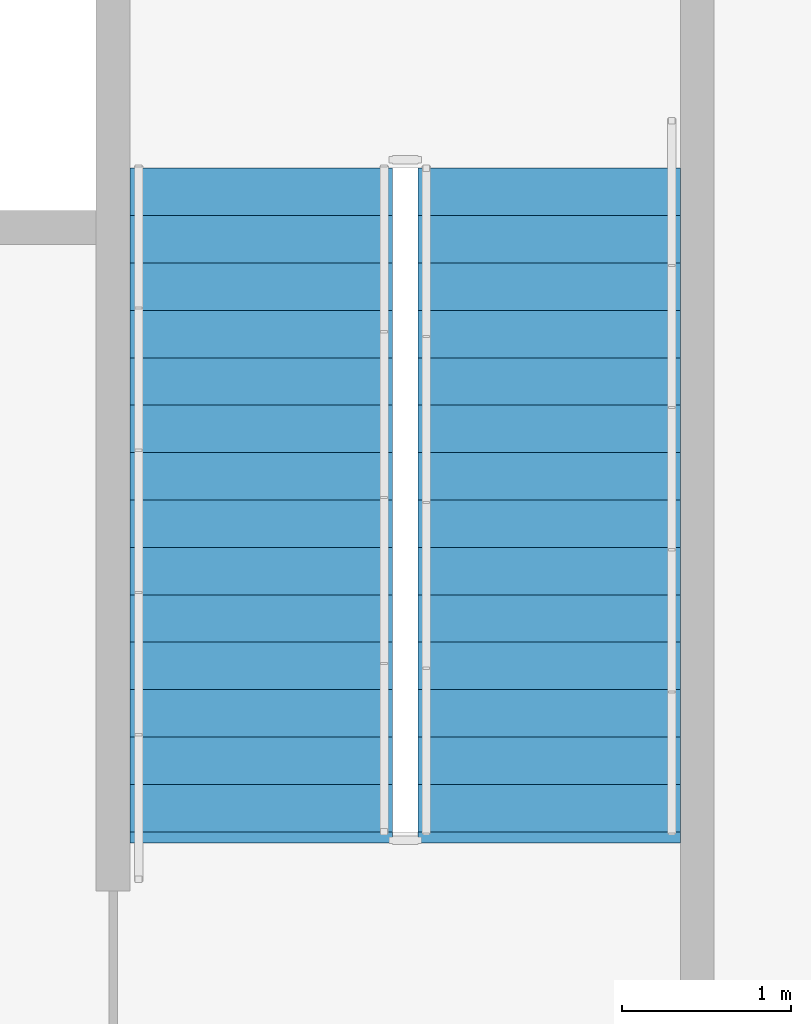
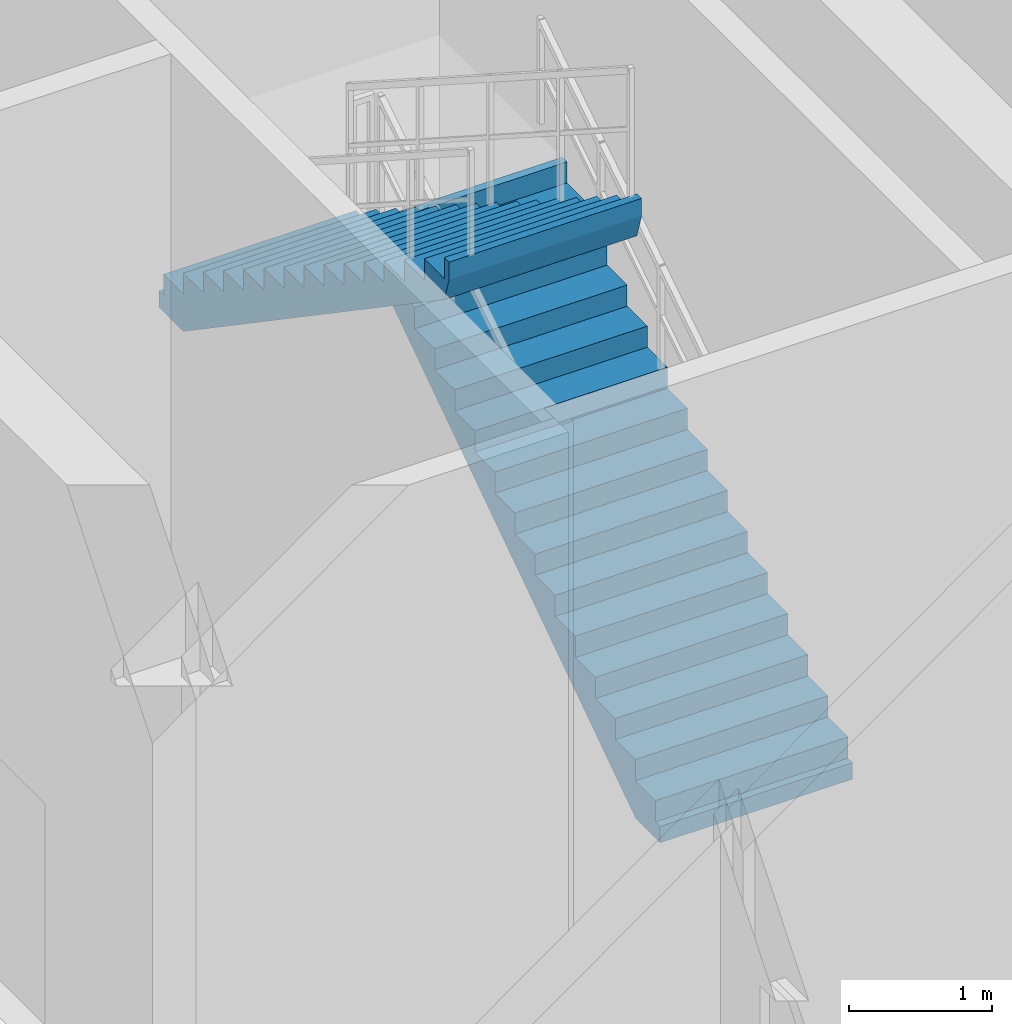
# One storey, part 11 of 15: 2 stair flights, 1 element without a shape of its own.
"""IFC4 building model written with IfcOpenShell, lengths in metres."""

from ifc_helpers import new_model, si_unit, direction, frame, origin, place, context, subcontext, project, spatial, polyline, outline, extrude, material, type_object, element, aggregate, save


model = new_model("IFC4")

# Units and contexts
model_context = context("Model", 3, precision=1e-05, world=origin(), true_north=direction((0.0, 1.0)))
body_context = subcontext(model_context, "Body", "Model", "MODEL_VIEW")
ifc_project = project(units=[si_unit("LENGTHUNIT", "METRE"), si_unit("AREAUNIT", "SQUARE_METRE"), si_unit("VOLUMEUNIT", "CUBIC_METRE"), si_unit("PLANEANGLEUNIT", "RADIAN"), si_unit("MASSUNIT", "GRAM", prefix="KILO")], contexts=[model_context])

# Site, building, storey
site_placement = place(None, origin())
site = spatial("IfcSite", under=ifc_project, at=site_placement, CompositionType="ELEMENT")
building_placement = place(site_placement, origin())
building = spatial("IfcBuilding", under=site, at=building_placement, Name="Zahravan Cultural Tower", CompositionType="ELEMENT")
storey_placement = place(building_placement, frame((0.0, 0.0, 12.60009765625)))
storey = spatial("IfcBuildingStorey", under=building, at=storey_placement, Name="L02", CompositionType="ELEMENT", Elevation=12.60009765625)

# Stair, stair flights
ifc_material = material(Name="Concrete C45/55", Category="concrete")
stair_type = type_object("IfcStairType", Name="STR-DL-1550-540", PredefinedType="HALF_TURN_STAIR", material=ifc_material)
stair_placement = place(storey_placement, origin())
stair = element("IfcStair", 1, at=stair_placement, inside=storey, type_object=stair_type, Name="L02 East Core North Exit Stair ST-E1", PredefinedType="HALF_TURN_STAIR")
stair_flight_type = type_object("IfcStairFlightType", Name="FLG-DL-1550-540", PredefinedType="STRAIGHT", material=ifc_material)
stair_flight_1_placement = place(storey_placement, frame((48.675048828125, 29.949951171875, 0.0), z_axis=(0.0, 0.0, 1.0), x_axis=(0.0, 1.0, 0.0)))
stair_flight_1 = element("IfcStairFlight", 2, at=stair_flight_1_placement, type_object=stair_flight_type, Name="ST-E1 flight 1", NumberOfRisers=15, NumberOfTreads=14, PredefinedType="STRAIGHT", RiserHeight=0.18, TreadLength=0.28, context=body_context, shape_type="SweptSolid", body=[
    extrude(outline(polyline([(-0.06494140625, -0.139892578125), (-0.06494140625, 0.0), (0.0, 0.0), (0.0, 0.179931640625), (0.280029296875, 0.179931640625), (0.280029296875, 0.360107421875), (0.56005859375, 0.360107421875), (0.56005859375, 0.5400390625), (0.840087890625, 0.5400390625), (0.840087890625, 0.719970703125), (1.1201171875, 0.719970703125), (1.1201171875, 0.89990234375), (1.39990234375, 0.89990234375), (1.39990234375, 1.080078125), (1.679931640625, 1.080078125), (1.679931640625, 1.260009765625), (1.9599609375, 1.260009765625), (1.9599609375, 1.43994140625), (2.239990234375, 1.43994140625), (2.239990234375, 1.6201171875), (2.52001953125, 1.6201171875), (2.52001953125, 1.800048828125), (2.800048828125, 1.800048828125), (2.800048828125, 1.97998046875), (3.080078125, 1.97998046875), (3.080078125, 2.159912109375), (3.360107421875, 2.159912109375), (3.360107421875, 2.340087890625), (3.639892578125, 2.340087890625), (3.639892578125, 2.52001953125), (3.919921875, 2.52001953125), (3.919921875, 2.699951171875), (3.985107421875, 2.699951171875), (3.985107421875, 2.550048828125), (3.919921875, 2.341796875), (0.277099609375, -0.139892578125), (-0.06494140625, -0.139892578125)])), frame((0.0, 0.77490234375, 0.0), z_axis=(0.0, -1.0, 0.0), x_axis=(1.0, 0.0, 0.0)), (0.0, 0.0, 1.0), 1.550048828125),
])
stair_flight_2_placement = place(storey_placement, frame((46.97509765625, 33.8701171875, 2.699951171875), z_axis=(0.0, 0.0, 1.0), x_axis=(0.0, -1.0, 0.0)))
stair_flight_2 = element("IfcStairFlight", 3, at=stair_flight_2_placement, type_object=stair_flight_type, Name="ST-E1 flight 2", NumberOfRisers=15, NumberOfTreads=14, PredefinedType="STRAIGHT", RiserHeight=0.18, TreadLength=0.28, context=body_context, shape_type="SweptSolid", body=[
    extrude(outline(polyline([(-0.06494140625, -0.139892578125), (-0.06494140625, 0.0), (0.0, 0.0), (0.0, 0.179931640625), (0.280029296875, 0.179931640625), (0.280029296875, 0.360107421875), (0.56005859375, 0.360107421875), (0.56005859375, 0.5400390625), (0.840087890625, 0.5400390625), (0.840087890625, 0.719970703125), (1.1201171875, 0.719970703125), (1.1201171875, 0.89990234375), (1.39990234375, 0.89990234375), (1.39990234375, 1.080078125), (1.679931640625, 1.080078125), (1.679931640625, 1.260009765625), (1.9599609375, 1.260009765625), (1.9599609375, 1.43994140625), (2.239990234375, 1.43994140625), (2.239990234375, 1.6201171875), (2.52001953125, 1.6201171875), (2.52001953125, 1.800048828125), (2.800048828125, 1.800048828125), (2.800048828125, 1.97998046875), (3.080078125, 1.97998046875), (3.080078125, 2.159912109375), (3.360107421875, 2.159912109375), (3.360107421875, 2.340087890625), (3.639892578125, 2.340087890625), (3.639892578125, 2.52001953125), (3.919921875, 2.52001953125), (3.919921875, 2.699951171875), (3.985107421875, 2.699951171875), (3.985107421875, 2.550048828125), (3.919921875, 2.341796875), (0.277099609375, -0.139892578125), (-0.06494140625, -0.139892578125)])), frame((0.0, 0.77490234375, 0.0), z_axis=(0.0, -1.0, 0.0), x_axis=(1.0, 0.0, 0.0)), (0.0, 0.0, 1.0), 1.550048828125),
])
aggregate(stair, [stair_flight_1, stair_flight_2])

save(model, "model.ifc")
